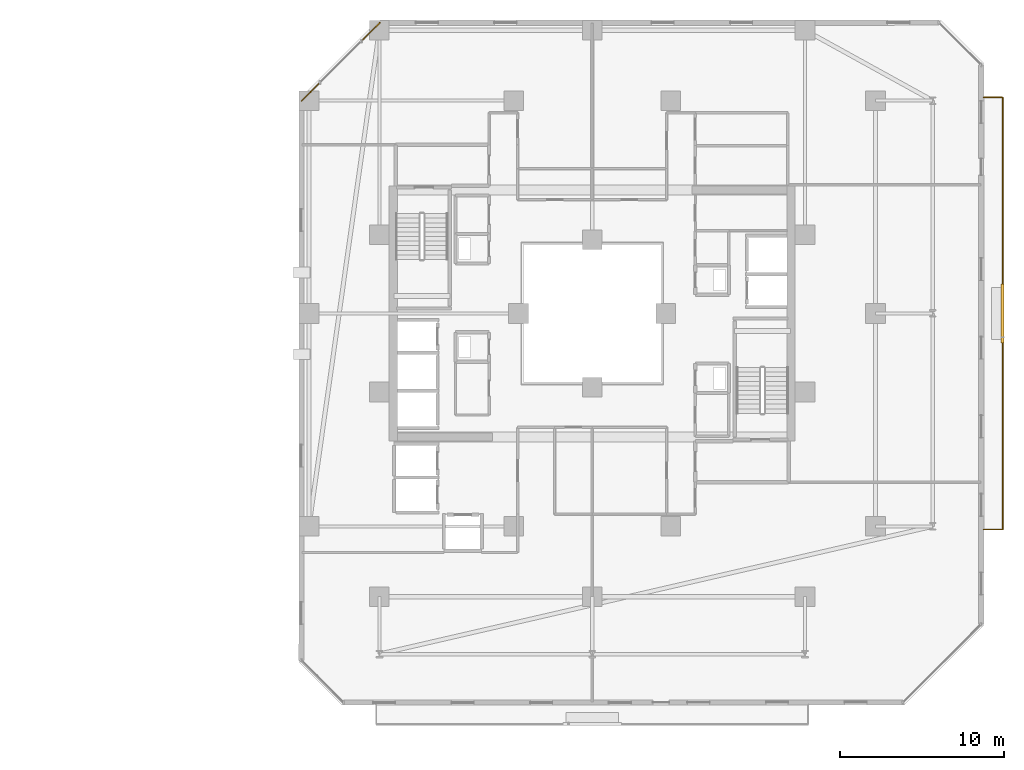
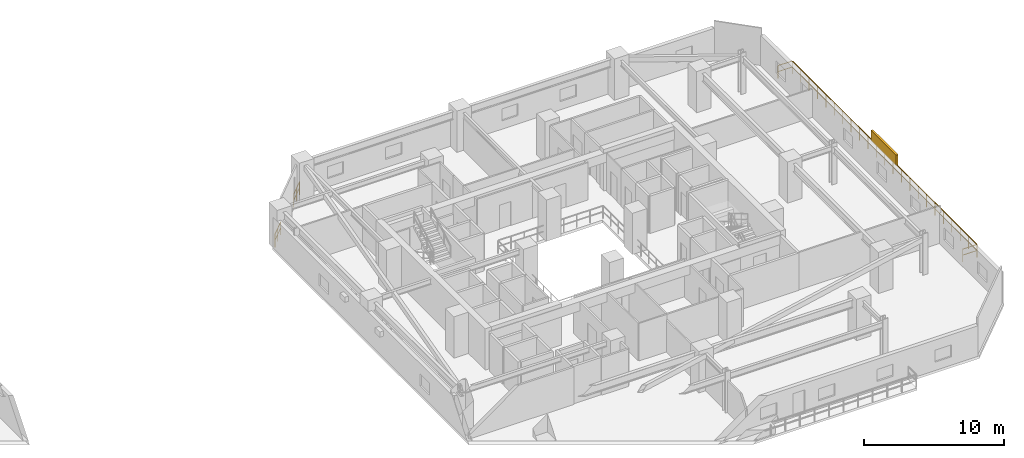
# One storey, part 34 of 34: 3 railings, 1 shading device.
"""IFC4 building model written with IfcOpenShell, lengths in metres."""

import ifcopenshell
import ifcopenshell.guid

model = None  # the IFC model being written
_history = None  # IfcOwnerHistory: only IFC2X3 demands one
_inside = {}  # id of a spatial element -> (the spatial element, [elements in it])
_under = {}  # id of a project, library or spatial element -> (it, [spatial elements below it])
_declared = {}  # id of a project -> (the project, [libraries it declares])
_typed = {}  # id of a type object -> (the type object, [elements of that type])
_made_of = {}  # id of a material, layer set ... -> (it, [elements and type objects made of it])


def new_model(schema):
    """Start an empty IFC model of exactly this schema.

    Asked for "IFC4X3", IfcOpenShell would pick the latest addendum, in which some entities
    have other attributes; the version numbers below select the first issue.
    IFC2X3 requires an IfcOwnerHistory on every rooted entity: one is made here for all.
    """
    global model, _history
    if schema == "IFC4X3":
        model = ifcopenshell.file(schema_version=(4, 3, 0, 0))
    else:
        model = ifcopenshell.file(schema=schema)
    _inside.clear()
    _under.clear()
    _declared.clear()
    _typed.clear()
    _made_of.clear()
    _history = None
    if model.schema == "IFC2X3":
        org = make("IfcOrganization", Name="unknown")
        user = make(
            "IfcPersonAndOrganization",
            ThePerson=make("IfcPerson", FamilyName="unknown"),
            TheOrganization=org,
        )
        app = make(
            "IfcApplication",
            ApplicationDeveloper=org,
            Version="unknown",
            ApplicationFullName="unknown",
            ApplicationIdentifier="unknown",
        )
        _history = make(
            "IfcOwnerHistory",
            OwningUser=user,
            OwningApplication=app,
            ChangeAction="ADDED",
            CreationDate=0,
        )
    return model


def make(cls, **values):
    """One entity of the class cls with the attributes given. An attribute that is None is left unset."""
    return model.create_entity(
        cls, **{name: value for name, value in values.items() if value is not None}
    )


def rooted(cls, **values):
    """An entity with a GlobalId (a new one), such as an element, a storey or a relation."""
    return make(cls, GlobalId=ifcopenshell.guid.new(), OwnerHistory=_history, **values)


def si_unit(unit_type, name, prefix=None):
    """IfcSIUnit, for example si_unit("LENGTHUNIT", "METRE", prefix="MILLI")."""
    return make("IfcSIUnit", UnitType=unit_type, Prefix=prefix, Name=name)


def assignment(units):
    """IfcUnitAssignment: the units of a project."""
    return None if units is None else make("IfcUnitAssignment", Units=units)


def point(xyz):
    """IfcCartesianPoint."""
    return None if xyz is None else make("IfcCartesianPoint", Coordinates=xyz)


def direction(xyz):
    """IfcDirection."""
    return None if xyz is None else make("IfcDirection", DirectionRatios=xyz)


def frame(location, z_axis=None, x_axis=None):
    """IfcAxis2Placement3D, a coordinate frame: its origin and axes. An axis left out is left unset."""
    return make(
        "IfcAxis2Placement3D",
        Location=point(location),
        Axis=direction(z_axis),
        RefDirection=direction(x_axis),
    )


def frame_2d(location, x_axis=None):
    """IfcAxis2Placement2D, a coordinate frame in the plane: its origin and x axis."""
    return make(
        "IfcAxis2Placement2D", Location=point(location), RefDirection=direction(x_axis)
    )


def origin():
    """The frame at (0, 0, 0) with its axes left unset."""
    return frame((0.0, 0.0, 0.0))


def origin_2d():
    """The frame at (0, 0) in the plane with its x axis left unset."""
    return frame_2d((0.0, 0.0))


def place(relative_to, where):
    """IfcLocalPlacement: puts the frame where relative to a parent placement (None: the world)."""
    return make(
        "IfcLocalPlacement", PlacementRelTo=relative_to, RelativePlacement=where
    )


def context(
    kind, dimensions, precision=None, world=None, true_north=None, identifier=None
):
    """IfcGeometricRepresentationContext, for example the 3D "Model" context."""
    return make(
        "IfcGeometricRepresentationContext",
        ContextIdentifier=identifier,
        ContextType=kind,
        CoordinateSpaceDimension=dimensions,
        Precision=precision,
        WorldCoordinateSystem=world,
        TrueNorth=true_north,
    )


def subcontext(parent, identifier, kind, view, scale=None):
    """IfcGeometricRepresentationSubContext, for example "Body" below "Model"."""
    return make(
        "IfcGeometricRepresentationSubContext",
        ContextIdentifier=identifier,
        ContextType=kind,
        ParentContext=parent,
        TargetScale=scale,
        TargetView=view,
    )


def project(units=None, contexts=None):
    """IfcProject with its units and contexts."""
    return rooted(
        "IfcProject",
        Name="project",
        RepresentationContexts=contexts,
        UnitsInContext=assignment(units),
    )


def spatial(cls, under=None, at=None, **own):
    """A site, building, storey or space (cls), placed at a placement, below another one or the project."""
    s = rooted(cls, ObjectPlacement=at, **own)
    if under is not None:
        _under.setdefault(under.id(), (under, []))[1].append(s)
    return s


def profile(cls, at=None, kind="AREA", **sizes):
    """A parametric profile (cls). Its sizes go by their IFC names, for example OverallWidth=200.0."""
    return make(cls, ProfileType=kind, Position=at, **sizes)


def rectangle(**sizes):
    """IfcRectangleProfileDef."""
    return profile("IfcRectangleProfileDef", **sizes)


def extrude(swept, where, along, depth):
    """IfcExtrudedAreaSolid: the profile swept, set in the frame where, extruded along a direction by depth."""
    return make(
        "IfcExtrudedAreaSolid",
        SweptArea=swept,
        Position=where,
        ExtrudedDirection=direction(along),
        Depth=depth,
    )


def shape(context_of_items, identifier, shape_type, items):
    """IfcShapeRepresentation: the items that make up one representation, for example the "Body"."""
    return make(
        "IfcShapeRepresentation",
        ContextOfItems=context_of_items,
        RepresentationIdentifier=identifier,
        RepresentationType=shape_type,
        Items=items,
    )


def material(Name=None, Category=None):
    """IfcMaterial."""
    return make("IfcMaterial", Name=Name, Category=Category)


def made_of(thing, what):
    """Note that an element or type object is made of a material, layer set ...; save() writes the relation."""
    if what is not None:
        _made_of.setdefault(what.id(), (what, []))[1].append(thing)
    return thing


def type_object(cls, material=None, **own):
    """A type object (cls), such as IfcWallType, which elements share."""
    return made_of(rooted(cls, **own), material)


def element(
    cls,
    number,
    at=None,
    inside=None,
    cuts=None,
    type_object=None,
    material=None,
    context=None,
    identifier="Body",
    shape_type=None,
    held_by="IfcProductDefinitionShape",
    body=None,
    shapes=None,
    **own,
):
    """One element of the class cls, such as IfcWall. Its Tag is "e" and its number.

    at: its placement. inside: the storey or other place that contains it. cuts: it is an
    opening in that element (IfcRelVoidsElement). A single representation is given by context,
    identifier, shape_type and body (its items); several are given by shapes. held_by: the class
    of the entity that holds the representations. save() writes the other relations.
    """
    e = rooted(cls, Tag="e%d" % number, ObjectPlacement=at, **own)
    if body is not None:
        shapes = [shape(context, identifier, shape_type, body)]
    if shapes is not None:
        e.Representation = make(held_by, Representations=shapes)
    if inside is not None:
        _inside.setdefault(inside.id(), (inside, []))[1].append(e)
    if cuts is not None:
        rooted(
            "IfcRelVoidsElement", RelatingBuildingElement=cuts, RelatedOpeningElement=e
        )
    if type_object is not None:
        _typed.setdefault(type_object.id(), (type_object, []))[1].append(e)
    return made_of(e, material)


def aggregate(whole, parts):
    """IfcRelAggregates: a whole, such as a stair, and the parts it consists of."""
    return rooted("IfcRelAggregates", RelatingObject=whole, RelatedObjects=parts)


def save(model, path):
    """Write the relations noted so far, then the file.

    IfcRelAggregates (storeys below a building ...), IfcRelContainedInSpatialStructure (elements
    in a storey), IfcRelDefinesByType, IfcRelAssociatesMaterial and IfcRelDeclares: one each for
    every whole, place, type object, material and project.
    """
    for whole, parts in _under.values():
        aggregate(whole, parts)
    for where, things in _inside.values():
        rooted(
            "IfcRelContainedInSpatialStructure",
            RelatedElements=things,
            RelatingStructure=where,
        )
    for kind, things in _typed.values():
        rooted("IfcRelDefinesByType", RelatedObjects=things, RelatingType=kind)
    for what, things in _made_of.values():
        rooted("IfcRelAssociatesMaterial", RelatedObjects=things, RelatingMaterial=what)
    for by, libraries in _declared.values():
        rooted("IfcRelDeclares", RelatingContext=by, RelatedDefinitions=libraries)
    model.write(path)


model = new_model("IFC4")

# Units and contexts
model_context = context("Model", 3, precision=1e-05, world=origin(), true_north=direction((0.0, 1.0)))
body_context = subcontext(model_context, "Body", "Model", "MODEL_VIEW")
ifc_project = project(units=[si_unit("LENGTHUNIT", "METRE"), si_unit("AREAUNIT", "SQUARE_METRE"), si_unit("VOLUMEUNIT", "CUBIC_METRE"), si_unit("PLANEANGLEUNIT", "RADIAN"), si_unit("MASSUNIT", "GRAM", prefix="KILO")], contexts=[model_context])

# Site, building, storey
site_placement = place(None, origin())
site = spatial("IfcSite", under=ifc_project, at=site_placement, CompositionType="ELEMENT")
building_placement = place(site_placement, origin())
building = spatial("IfcBuilding", under=site, at=building_placement, Name="Thornwick Lancets Civic Towers", CompositionType="ELEMENT")
storey_placement = place(building_placement, frame((0.0, 0.0, 137.699951171875)))
storey = spatial("IfcBuildingStorey", under=building, at=storey_placement, Name="L36", CompositionType="ELEMENT", Elevation=137.699951171875)

# Railings
ifc_material_1 = material(Name="Terracotta-capped laminated glass balustrade S355", Category="masonry")
railing_type = type_object("IfcRailingType", Name="RAIL_TERR_GUARD", PredefinedType="GUARDRAIL", material=ifc_material_1)
for number, where, name in (
    (1, (75.52490234375, 44.75732421875, 0.0), "L36 Tower B Chamfer Spandrel Guard E5-1"),
    (2, (71.86767578125, 41.10009765625, 0.0), "L36 Tower B Chamfer Spandrel Guard E5-2"),
):
    element("IfcRailing", number, at=place(storey_placement, frame(where)), inside=storey, type_object=railing_type, Name=name, PredefinedType="GUARDRAIL", context=body_context, shape_type="SweptSolid", body=[
        extrude(rectangle(XDim=0.048095703125, YDim=0.048095703125, at=origin_2d()), frame((0.0, 0.0, 1.1259765625), z_axis=(-0.707106781187, -0.707106781187, 0.0), x_axis=(0.707106781187, -0.707106781187, 0.0)), (0.0, 0.0, 1.0), 1.591064453125),
        extrude(rectangle(XDim=0.0419921875, YDim=0.0419921875, at=origin_2d()), frame((-0.026611328125, -0.026611328125, 0.597900390625), z_axis=(-0.707106781187, -0.707106781187, 0.0), x_axis=(0.707106781187, -0.707106781187, 0.0)), (0.0, 0.0, 1.0), 0.720458984375),
        extrude(rectangle(XDim=0.0419921875, YDim=0.0419921875, at=origin_2d()), frame((-0.589111328125, -0.589111328125, 0.597900390625), z_axis=(-0.707106781187, -0.707106781187, 0.0), x_axis=(0.707106781187, -0.707106781187, 0.0)), (0.0, 0.0, 1.0), 0.720458984375),
        extrude(rectangle(XDim=0.0419921875, YDim=0.0419921875, at=origin_2d()), origin(), (0.0, 0.0, 1.0), 1.095703125),
        extrude(rectangle(XDim=0.0419921875, YDim=0.0419921875, at=origin_2d()), frame((-0.5625, -0.5625, 0.0)), (0.0, 0.0, 1.0), 1.095703125),
        extrude(rectangle(XDim=0.0419921875, YDim=0.0419921875, at=origin_2d()), frame((-1.125, -1.125, 0.0)), (0.0, 0.0, 1.0), 1.095703125),
    ])
railing_placement = place(storey_placement, frame((112.39990234375, 13.800048828125, 0.0)))
element("IfcRailing", 3, at=railing_placement, inside=storey, type_object=railing_type, Name="L36 Tower B Balcony Guard E", PredefinedType="GUARDRAIL", context=body_context, shape_type="SweptSolid", body=[
    extrude(rectangle(XDim=0.048095703125, YDim=0.048095703125, at=origin_2d()), frame((0.0, 0.0, 1.1259765625), z_axis=(1.0, 0.0, 0.0), x_axis=(0.0, 1.0, 0.0)), (0.0, 0.0, 1.0), 1.138916015625),
    extrude(rectangle(XDim=0.0419921875, YDim=0.0419921875, at=origin_2d()), frame((0.03759765625, 0.0, 0.597900390625), z_axis=(1.0, 0.0, 0.0), x_axis=(0.0, 1.0, 0.0)), (0.0, 0.0, 1.0), 1.09521484375),
    extrude(rectangle(XDim=0.048095703125, YDim=0.048095703125, at=origin_2d()), frame((1.170166015625, 0.03125, 1.1259765625), z_axis=(0.0, 1.0, 0.0), x_axis=(-1.0, 0.0, 0.0)), (0.0, 0.0, 1.0), 26.33740234375),
    extrude(rectangle(XDim=0.0419921875, YDim=0.0419921875, at=origin_2d()), frame((1.170166015625, 0.03759765625, 0.597900390625), z_axis=(0.0, 1.0, 0.0), x_axis=(-1.0, 0.0, 0.0)), (0.0, 0.0, 1.0), 1.125),
    extrude(rectangle(XDim=0.0419921875, YDim=0.0419921875, at=origin_2d()), frame((1.170166015625, 1.237548828125, 0.597900390625), z_axis=(0.0, 1.0, 0.0), x_axis=(-1.0, 0.0, 0.0)), (0.0, 0.0, 1.0), 1.125),
    extrude(rectangle(XDim=0.0419921875, YDim=0.0419921875, at=origin_2d()), frame((1.170166015625, 2.4375, 0.597900390625), z_axis=(0.0, 1.0, 0.0), x_axis=(-1.0, 0.0, 0.0)), (0.0, 0.0, 1.0), 1.125),
    extrude(rectangle(XDim=0.0419921875, YDim=0.0419921875, at=origin_2d()), frame((1.170166015625, 3.637451171875, 0.597900390625), z_axis=(0.0, 1.0, 0.0), x_axis=(-1.0, 0.0, 0.0)), (0.0, 0.0, 1.0), 1.125),
    extrude(rectangle(XDim=0.0419921875, YDim=0.0419921875, at=origin_2d()), frame((1.170166015625, 4.83740234375, 0.597900390625), z_axis=(0.0, 1.0, 0.0), x_axis=(-1.0, 0.0, 0.0)), (0.0, 0.0, 1.0), 1.125),
    extrude(rectangle(XDim=0.0419921875, YDim=0.0419921875, at=origin_2d()), frame((1.170166015625, 6.037353515625, 0.597900390625), z_axis=(0.0, 1.0, 0.0), x_axis=(-1.0, 0.0, 0.0)), (0.0, 0.0, 1.0), 1.125),
    extrude(rectangle(XDim=0.0419921875, YDim=0.0419921875, at=origin_2d()), frame((1.170166015625, 7.237548828125, 0.597900390625), z_axis=(0.0, 1.0, 0.0), x_axis=(-1.0, 0.0, 0.0)), (0.0, 0.0, 1.0), 1.125),
    extrude(rectangle(XDim=0.0419921875, YDim=0.0419921875, at=origin_2d()), frame((1.170166015625, 8.4375, 0.597900390625), z_axis=(0.0, 1.0, 0.0), x_axis=(-1.0, 0.0, 0.0)), (0.0, 0.0, 1.0), 1.125),
    extrude(rectangle(XDim=0.0419921875, YDim=0.0419921875, at=origin_2d()), frame((1.170166015625, 9.637451171875, 0.597900390625), z_axis=(0.0, 1.0, 0.0), x_axis=(-1.0, 0.0, 0.0)), (0.0, 0.0, 1.0), 1.125),
    extrude(rectangle(XDim=0.0419921875, YDim=0.0419921875, at=origin_2d()), frame((1.170166015625, 10.83740234375, 0.597900390625), z_axis=(0.0, 1.0, 0.0), x_axis=(-1.0, 0.0, 0.0)), (0.0, 0.0, 1.0), 1.125),
    extrude(rectangle(XDim=0.0419921875, YDim=0.0419921875, at=origin_2d()), frame((1.170166015625, 12.037353515625, 0.597900390625), z_axis=(0.0, 1.0, 0.0), x_axis=(-1.0, 0.0, 0.0)), (0.0, 0.0, 1.0), 1.125),
    extrude(rectangle(XDim=0.0419921875, YDim=0.0419921875, at=origin_2d()), frame((1.170166015625, 13.237548828125, 0.597900390625), z_axis=(0.0, 1.0, 0.0), x_axis=(-1.0, 0.0, 0.0)), (0.0, 0.0, 1.0), 1.125),
    extrude(rectangle(XDim=0.0419921875, YDim=0.0419921875, at=origin_2d()), frame((1.170166015625, 14.4375, 0.597900390625), z_axis=(0.0, 1.0, 0.0), x_axis=(-1.0, 0.0, 0.0)), (0.0, 0.0, 1.0), 1.125),
    extrude(rectangle(XDim=0.0419921875, YDim=0.0419921875, at=origin_2d()), frame((1.170166015625, 15.637451171875, 0.597900390625), z_axis=(0.0, 1.0, 0.0), x_axis=(-1.0, 0.0, 0.0)), (0.0, 0.0, 1.0), 1.125),
    extrude(rectangle(XDim=0.0419921875, YDim=0.0419921875, at=origin_2d()), frame((1.170166015625, 16.83740234375, 0.597900390625), z_axis=(0.0, 1.0, 0.0), x_axis=(-1.0, 0.0, 0.0)), (0.0, 0.0, 1.0), 1.125),
    extrude(rectangle(XDim=0.0419921875, YDim=0.0419921875, at=origin_2d()), frame((1.170166015625, 18.037353515625, 0.597900390625), z_axis=(0.0, 1.0, 0.0), x_axis=(-1.0, 0.0, 0.0)), (0.0, 0.0, 1.0), 1.125),
    extrude(rectangle(XDim=0.0419921875, YDim=0.0419921875, at=origin_2d()), frame((1.170166015625, 19.2373046875, 0.597900390625), z_axis=(0.0, 1.0, 0.0), x_axis=(-1.0, 0.0, 0.0)), (0.0, 0.0, 1.0), 1.125),
    extrude(rectangle(XDim=0.0419921875, YDim=0.0419921875, at=origin_2d()), frame((1.170166015625, 20.4375, 0.597900390625), z_axis=(0.0, 1.0, 0.0), x_axis=(-1.0, 0.0, 0.0)), (0.0, 0.0, 1.0), 1.125),
    extrude(rectangle(XDim=0.0419921875, YDim=0.0419921875, at=origin_2d()), frame((1.170166015625, 21.637451171875, 0.597900390625), z_axis=(0.0, 1.0, 0.0), x_axis=(-1.0, 0.0, 0.0)), (0.0, 0.0, 1.0), 1.125),
    extrude(rectangle(XDim=0.0419921875, YDim=0.0419921875, at=origin_2d()), frame((1.170166015625, 22.83740234375, 0.597900390625), z_axis=(0.0, 1.0, 0.0), x_axis=(-1.0, 0.0, 0.0)), (0.0, 0.0, 1.0), 1.125),
    extrude(rectangle(XDim=0.0419921875, YDim=0.0419921875, at=origin_2d()), frame((1.170166015625, 24.037353515625, 0.597900390625), z_axis=(0.0, 1.0, 0.0), x_axis=(-1.0, 0.0, 0.0)), (0.0, 0.0, 1.0), 1.125),
    extrude(rectangle(XDim=0.0419921875, YDim=0.0419921875, at=origin_2d()), frame((1.170166015625, 25.2373046875, 0.597900390625), z_axis=(0.0, 1.0, 0.0), x_axis=(-1.0, 0.0, 0.0)), (0.0, 0.0, 1.0), 1.125),
    extrude(rectangle(XDim=0.048095703125, YDim=0.048095703125, at=origin_2d()), frame((1.138916015625, 26.39990234375, 1.1259765625), z_axis=(-1.0, 0.0, 0.0), x_axis=(0.0, -1.0, 0.0)), (0.0, 0.0, 1.0), 1.138916015625),
    extrude(rectangle(XDim=0.0419921875, YDim=0.0419921875, at=origin_2d()), frame((1.132568359375, 26.39990234375, 0.597900390625), z_axis=(-1.0, 0.0, 0.0), x_axis=(0.0, -1.0, 0.0)), (0.0, 0.0, 1.0), 1.09521484375),
    extrude(rectangle(XDim=0.0419921875, YDim=0.0419921875, at=origin_2d()), origin(), (0.0, 0.0, 1.0), 1.095703125),
    extrude(rectangle(XDim=0.0419921875, YDim=0.0419921875, at=origin_2d()), frame((1.170166015625, 0.0, 0.0)), (0.0, 0.0, 1.0), 1.095703125),
    extrude(rectangle(XDim=0.0419921875, YDim=0.0419921875, at=origin_2d()), frame((1.170166015625, 1.199951171875, 0.0)), (0.0, 0.0, 1.0), 1.095703125),
    extrude(rectangle(XDim=0.0419921875, YDim=0.0419921875, at=origin_2d()), frame((1.170166015625, 2.39990234375, 0.0)), (0.0, 0.0, 1.0), 1.095703125),
    extrude(rectangle(XDim=0.0419921875, YDim=0.0419921875, at=origin_2d()), frame((1.170166015625, 3.60009765625, 0.0)), (0.0, 0.0, 1.0), 1.095703125),
    extrude(rectangle(XDim=0.0419921875, YDim=0.0419921875, at=origin_2d()), frame((1.170166015625, 4.800048828125, 0.0)), (0.0, 0.0, 1.0), 1.095703125),
    extrude(rectangle(XDim=0.0419921875, YDim=0.0419921875, at=origin_2d()), frame((1.170166015625, 6.0, 0.0)), (0.0, 0.0, 1.0), 1.095703125),
    extrude(rectangle(XDim=0.0419921875, YDim=0.0419921875, at=origin_2d()), frame((1.170166015625, 7.199951171875, 0.0)), (0.0, 0.0, 1.0), 1.095703125),
    extrude(rectangle(XDim=0.0419921875, YDim=0.0419921875, at=origin_2d()), frame((1.170166015625, 8.39990234375, 0.0)), (0.0, 0.0, 1.0), 1.095703125),
    extrude(rectangle(XDim=0.0419921875, YDim=0.0419921875, at=origin_2d()), frame((1.170166015625, 9.599853515625, 0.0)), (0.0, 0.0, 1.0), 1.095703125),
    extrude(rectangle(XDim=0.0419921875, YDim=0.0419921875, at=origin_2d()), frame((1.170166015625, 10.800048828125, 0.0)), (0.0, 0.0, 1.0), 1.095703125),
    extrude(rectangle(XDim=0.0419921875, YDim=0.0419921875, at=origin_2d()), frame((1.170166015625, 12.0, 0.0)), (0.0, 0.0, 1.0), 1.095703125),
    extrude(rectangle(XDim=0.0419921875, YDim=0.0419921875, at=origin_2d()), frame((1.170166015625, 13.199951171875, 0.0)), (0.0, 0.0, 1.0), 1.095703125),
    extrude(rectangle(XDim=0.0419921875, YDim=0.0419921875, at=origin_2d()), frame((1.170166015625, 14.39990234375, 0.0)), (0.0, 0.0, 1.0), 1.095703125),
    extrude(rectangle(XDim=0.0419921875, YDim=0.0419921875, at=origin_2d()), frame((1.170166015625, 15.599853515625, 0.0)), (0.0, 0.0, 1.0), 1.095703125),
    extrude(rectangle(XDim=0.0419921875, YDim=0.0419921875, at=origin_2d()), frame((1.170166015625, 16.800048828125, 0.0)), (0.0, 0.0, 1.0), 1.095703125),
    extrude(rectangle(XDim=0.0419921875, YDim=0.0419921875, at=origin_2d()), frame((1.170166015625, 18.0, 0.0)), (0.0, 0.0, 1.0), 1.095703125),
    extrude(rectangle(XDim=0.0419921875, YDim=0.0419921875, at=origin_2d()), frame((1.170166015625, 19.199951171875, 0.0)), (0.0, 0.0, 1.0), 1.095703125),
    extrude(rectangle(XDim=0.0419921875, YDim=0.0419921875, at=origin_2d()), frame((1.170166015625, 20.39990234375, 0.0)), (0.0, 0.0, 1.0), 1.095703125),
    extrude(rectangle(XDim=0.0419921875, YDim=0.0419921875, at=origin_2d()), frame((1.170166015625, 21.599853515625, 0.0)), (0.0, 0.0, 1.0), 1.095703125),
    extrude(rectangle(XDim=0.0419921875, YDim=0.0419921875, at=origin_2d()), frame((1.170166015625, 22.7998046875, 0.0)), (0.0, 0.0, 1.0), 1.095703125),
    extrude(rectangle(XDim=0.0419921875, YDim=0.0419921875, at=origin_2d()), frame((1.170166015625, 24.0, 0.0)), (0.0, 0.0, 1.0), 1.095703125),
    extrude(rectangle(XDim=0.0419921875, YDim=0.0419921875, at=origin_2d()), frame((1.170166015625, 25.199951171875, 0.0)), (0.0, 0.0, 1.0), 1.095703125),
    extrude(rectangle(XDim=0.0419921875, YDim=0.0419921875, at=origin_2d()), frame((1.170166015625, 26.39990234375, 0.0)), (0.0, 0.0, 1.0), 1.095703125),
    extrude(rectangle(XDim=0.0419921875, YDim=0.0419921875, at=origin_2d()), frame((0.0, 26.39990234375, 0.0)), (0.0, 0.0, 1.0), 1.095703125),
])

# Shading device
ifc_material_2 = material(Name="Extruded terracotta baguette solar screen", Category="masonry")
shading_device_type = type_object("IfcShadingDeviceType", Name="SHADE_BAGUETTE", PredefinedType="JALOUSIE", material=ifc_material_2)
shading_device_placement = place(storey_placement, frame((113.56005859375, 27.0, 1.1201171875), z_axis=(0.0, 0.0, 1.0), x_axis=(0.0, 1.0, 0.0)))
element("IfcShadingDevice", 4, at=shading_device_placement, inside=storey, type_object=shading_device_type, Name="L36 Tower B Terracotta Baguette Screen E", PredefinedType="JALOUSIE", context=body_context, shape_type="SweptSolid", body=[
    extrude(rectangle(XDim=3.60009765625, YDim=0.179931640625, at=origin_2d()), origin(), (0.0, 0.0, 1.0), 0.89990234375),
])

save(model, "model.ifc")
